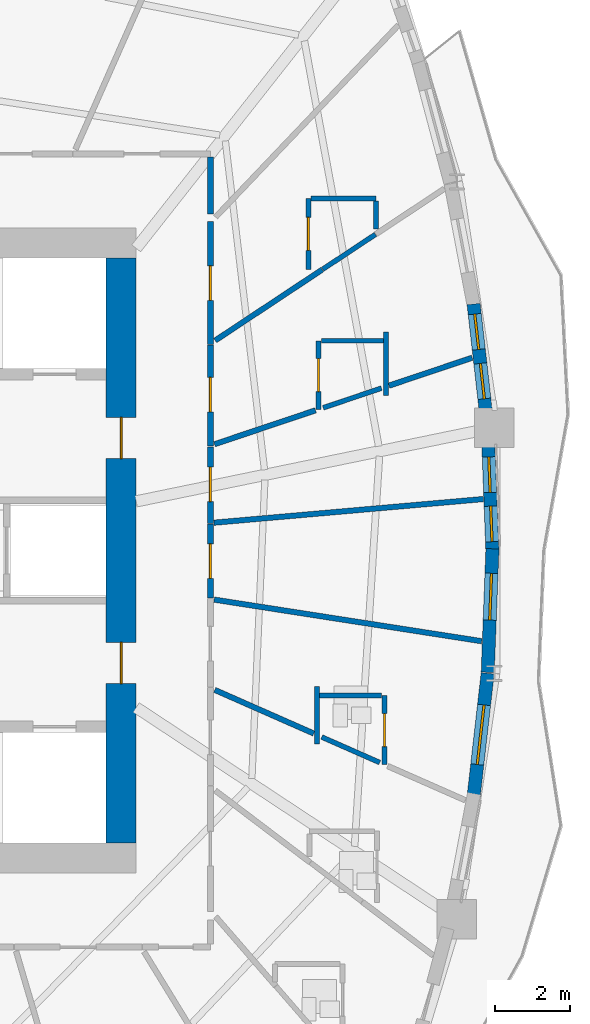
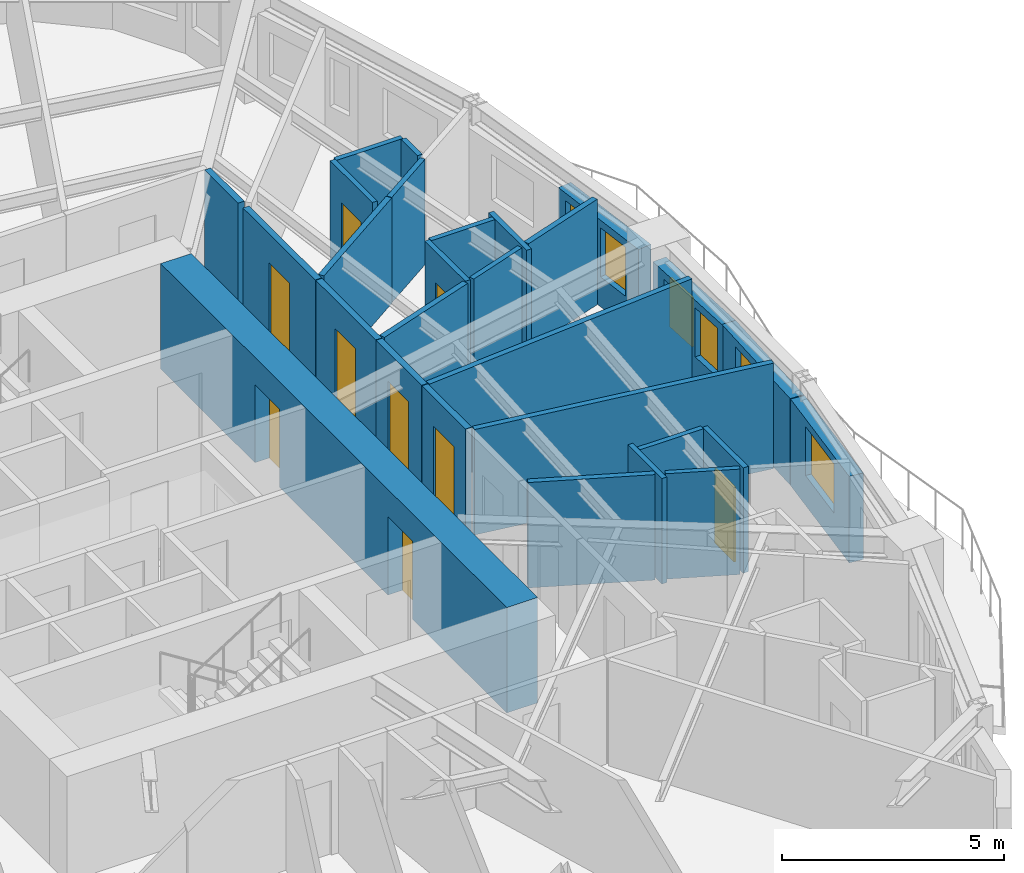
# One storey, part 7 of 13: 28 walls, 9 doors, 6 windows, 15 openings.
"""IFC4 building model written with IfcOpenShell, lengths in metres."""

from ifc_helpers import new_model, si_unit, direction, frame, frame_2d, origin, place, context, subcontext, project, spatial, rectangle, extrude, source, transform, mapped, material, layer, layer_set, type_object, element, fill, save


model = new_model("IFC4")

# Units and contexts
model_context = context("Model", 3, precision=1e-05, world=origin(), true_north=direction((0.0, 1.0)))
body_context = subcontext(model_context, "Body", "Model", "MODEL_VIEW")
ifc_project = project(units=[si_unit("LENGTHUNIT", "METRE"), si_unit("AREAUNIT", "SQUARE_METRE"), si_unit("VOLUMEUNIT", "CUBIC_METRE"), si_unit("PLANEANGLEUNIT", "RADIAN"), si_unit("MASSUNIT", "GRAM", prefix="KILO")], contexts=[model_context])

# Site, building, storey
site_placement = place(None, origin())
site = spatial("IfcSite", under=ifc_project, at=site_placement, CompositionType="ELEMENT")
building_placement = place(site_placement, origin())
building = spatial("IfcBuilding", under=site, at=building_placement, Name="Qafzar Sky-Pleat Residences", CompositionType="ELEMENT")
storey_placement = place(building_placement, frame((0.0, 0.0, 62.199951171875)))
storey = spatial("IfcBuildingStorey", under=building, at=storey_placement, Name="L18", CompositionType="ELEMENT", Elevation=62.199951171875)

# Wall, opening, door
ifc_material_1 = material(Name="Acoustic gypsum plasterboard partition", Category="gypsum")
ifc_layer_1 = layer(ifc_material_1, 0.159912109375)
ifc_layer_set_1 = layer_set([ifc_layer_1], Name="Acoustic gypsum plasterboard partition")
wall_type_1 = type_object("IfcWallType", Name="PART-COR-160", PredefinedType="PARTITIONING", material=ifc_layer_set_1)
wall_1_placement = place(storey_placement, frame((38.679931640625, 34.76904296875, 0.0), z_axis=(0.0, 0.0, 1.0), x_axis=(0.0, -1.0, 0.0)))
wall_1 = element("IfcWall", 1, at=wall_1_placement, inside=storey, type_object=wall_type_1, Name="L18 Partition Wall PART-L18-PW-009", PredefinedType="PARTITIONING", context=body_context, shape_type="SweptSolid", body=[
    extrude(rectangle(XDim=3.27099609375, YDim=0.159912109375, at=frame_2d((1.635498046875, 0.0))), origin(), (0.0, 0.0, 1.0), 2.900146484375),
])
opening_1_placement = place(wall_1_placement, frame((1.177001953125, 0.0, 0.0)))
opening_1 = element("IfcOpeningElement", 2, at=opening_1_placement, cuts=wall_1, Name="Opening ID-04", PredefinedType="OPENING", context=body_context, shape_type="SweptSolid", body=[
    extrude(rectangle(XDim=0.919921875, YDim=2.10009765625, at=frame_2d((0.4599609375, 1.050048828125))), frame((0.0, 0.08984375, 0.0), z_axis=(0.0, -1.0, 0.0), x_axis=(1.0, 0.0, 0.0)), (0.0, 0.0, 1.0), 0.179931640625),
])
ifc_material_2 = material(Name="Timber-faced fire door", Category="wood")
door_type_1 = type_object("IfcDoorType", Name="DR-BED-920", OperationType="NOTDEFINED", PredefinedType="DOOR", material=ifc_material_2)
shared_shape_1 = source(origin(), body_context, "Body", "SweptSolid", [
    extrude(rectangle(XDim=0.919921875, YDim=2.10009765625, at=frame_2d((0.4599609375, 1.050048828125))), frame((0.0, 0.02490234375, 0.0), z_axis=(0.0, -1.0, 0.0), x_axis=(1.0, 0.0, 0.0)), (0.0, 0.0, 1.0), 0.050048828125),
])
door_1_placement = place(opening_1_placement, origin())
door_1 = element("IfcDoor", 3, at=door_1_placement, inside=storey, type_object=door_type_1, Name="L18 Co-Living Bedroom 7 Door", OperationType="SINGLE_SWING_LEFT", OverallHeight=2.10009765625, OverallWidth=0.919921875, PredefinedType="DOOR", context=body_context, shape_type="MappedRepresentation", body=[
    mapped(shared_shape_1, transform((0.0, 0.0, 0.0), x_axis=(1.0, 0.0, 0.0), y_axis=(0.0, 1.0, 0.0), z_axis=(0.0, 0.0, 1.0), scale=1.0)),
])
fill(opening_1, door_1)

wall_2_placement = place(storey_placement, frame((38.679931640625, 31.48291015625, 0.0), z_axis=(0.0, 0.0, 1.0), x_axis=(0.0, -1.0, 0.0)))
wall_2 = element("IfcWall", 4, at=wall_2_placement, inside=storey, type_object=wall_type_1, Name="L18 Partition Wall PART-L18-PW-012", PredefinedType="PARTITIONING", context=body_context, shape_type="SweptSolid", body=[
    extrude(rectangle(XDim=2.701904296875, YDim=0.159912109375, at=frame_2d((1.35107421875, 0.0))), origin(), (0.0, 0.0, 1.0), 2.900146484375),
])
opening_2_placement = place(wall_2_placement, frame((0.866455078125, 0.0, 0.0)))
opening_2 = element("IfcOpeningElement", 5, at=opening_2_placement, cuts=wall_2, Name="Opening ID-04", PredefinedType="OPENING", context=body_context, shape_type="SweptSolid", body=[
    extrude(rectangle(XDim=0.919921875, YDim=2.10009765625, at=frame_2d((0.4599609375, 1.050048828125))), frame((0.0, 0.08984375, 0.0), z_axis=(0.0, -1.0, 0.0), x_axis=(1.0, 0.0, 0.0)), (0.0, 0.0, 1.0), 0.179931640625),
])
door_2_placement = place(opening_2_placement, origin())
door_2 = element("IfcDoor", 6, at=door_2_placement, inside=storey, type_object=door_type_1, Name="L18 Co-Living Bedroom 8 Door", OperationType="SINGLE_SWING_RIGHT", OverallHeight=2.10009765625, OverallWidth=0.919921875, PredefinedType="DOOR", context=body_context, shape_type="MappedRepresentation", body=[
    mapped(shared_shape_1, transform((0.0, 0.0, 0.0), x_axis=(1.0, 0.0, 0.0), y_axis=(0.0, 1.0, 0.0), z_axis=(0.0, 0.0, 1.0), scale=1.0)),
])
fill(opening_2, door_2)

wall_3_placement = place(storey_placement, frame((38.679931640625, 28.76611328125, 0.0), z_axis=(0.0, 0.0, 1.0), x_axis=(0.0, -1.0, 0.0)))
wall_3 = element("IfcWall", 7, at=wall_3_placement, inside=storey, type_object=wall_type_1, Name="L18 Partition Wall PART-L18-PW-017", PredefinedType="PARTITIONING", context=body_context, shape_type="SweptSolid", body=[
    extrude(rectangle(XDim=2.049072265625, YDim=0.159912109375, at=frame_2d((1.0244140625, 0.0))), origin(), (0.0, 0.0, 1.0), 2.900146484375),
])
opening_3_placement = place(wall_3_placement, frame((0.54150390625, 0.0, 0.0)))
opening_3 = element("IfcOpeningElement", 8, at=opening_3_placement, cuts=wall_3, Name="Opening ID-04", PredefinedType="OPENING", context=body_context, shape_type="SweptSolid", body=[
    extrude(rectangle(XDim=0.919921875, YDim=2.10009765625, at=frame_2d((0.4599609375, 1.050048828125))), frame((0.0, 0.08984375, 0.0), z_axis=(0.0, -1.0, 0.0), x_axis=(1.0, 0.0, 0.0)), (0.0, 0.0, 1.0), 0.179931640625),
])
door_3_placement = place(opening_3_placement, origin())
door_3 = element("IfcDoor", 9, at=door_3_placement, inside=storey, type_object=door_type_1, Name="L18 Co-Living Bedroom 5 Door", OperationType="SINGLE_SWING_LEFT", OverallHeight=2.10009765625, OverallWidth=0.919921875, PredefinedType="DOOR", context=body_context, shape_type="MappedRepresentation", body=[
    mapped(shared_shape_1, transform((0.0, 0.0, 0.0), x_axis=(1.0, 0.0, 0.0), y_axis=(0.0, 1.0, 0.0), z_axis=(0.0, 0.0, 1.0), scale=1.0)),
])
fill(opening_3, door_3)

wall_4_placement = place(storey_placement, frame((38.679931640625, 26.701904296875, 0.0), z_axis=(0.0, 0.0, 1.0), x_axis=(0.0, -1.0, 0.0)))
wall_4 = element("IfcWall", 10, at=wall_4_placement, inside=storey, type_object=wall_type_1, Name="L18 Partition Wall PART-L18-PW-018", PredefinedType="PARTITIONING", context=body_context, shape_type="SweptSolid", body=[
    extrude(rectangle(XDim=1.966796875, YDim=0.159912109375, at=frame_2d((0.9833984375, 0.0))), origin(), (0.0, 0.0, 1.0), 2.900146484375),
])
opening_4_placement = place(wall_4_placement, frame((0.52392578125, 0.0, 0.0)))
opening_4 = element("IfcOpeningElement", 11, at=opening_4_placement, cuts=wall_4, Name="Opening ID-04", PredefinedType="OPENING", context=body_context, shape_type="SweptSolid", body=[
    extrude(rectangle(XDim=0.919921875, YDim=2.10009765625, at=frame_2d((0.4599609375, 1.050048828125))), frame((0.0, 0.08984375, 0.0), z_axis=(0.0, -1.0, 0.0), x_axis=(1.0, 0.0, 0.0)), (0.0, 0.0, 1.0), 0.179931640625),
])
door_4_placement = place(opening_4_placement, origin())
door_4 = element("IfcDoor", 12, at=door_4_placement, inside=storey, type_object=door_type_1, Name="L18 Co-Living Bedroom 6 Door", OperationType="SINGLE_SWING_RIGHT", OverallHeight=2.10009765625, OverallWidth=0.919921875, PredefinedType="DOOR", context=body_context, shape_type="MappedRepresentation", body=[
    mapped(shared_shape_1, transform((0.0, 0.0, 0.0), x_axis=(1.0, 0.0, 0.0), y_axis=(0.0, 1.0, 0.0), z_axis=(0.0, 0.0, 1.0), scale=1.0)),
])
fill(opening_4, door_4)

# Walls
wall_5_placement = place(storey_placement, frame((38.679931640625, 34.981201171875, 0.0), z_axis=(0.0, 0.0, 1.0), x_axis=(0.0, 1.0, 0.0)))
element("IfcWall", 13, at=wall_5_placement, inside=storey, type_object=wall_type_1, Name="L18 Partition Wall PART-L18-PW-072", PredefinedType="PARTITIONING", context=body_context, shape_type="SweptSolid", body=[
    extrude(rectangle(XDim=1.5107421875, YDim=0.159912109375, at=frame_2d((0.75537109375, 0.0))), origin(), (0.0, 0.0, 1.0), 2.900146484375),
])
ifc_layer_2 = layer(ifc_material_1, 0.14501953125)
ifc_layer_set_2 = layer_set([ifc_layer_2], Name="Acoustic gypsum plasterboard partition")
wall_type_2 = type_object("IfcWallType", Name="PART-UNIT-145", PredefinedType="PARTITIONING", material=ifc_layer_set_2)
wall_6_placement = place(storey_placement, frame((38.779052734375, 24.688720703125, 0.0), z_axis=(0.0, 0.0, 1.0), x_axis=(0.988134938683, -0.153588225311, 0.0)))
element("IfcWall", 14, at=wall_6_placement, inside=storey, type_object=wall_type_2, Name="L18 Partition Wall PART-L18-PW-044", PredefinedType="PARTITIONING", context=body_context, shape_type="SweptSolid", body=[
    extrude(rectangle(XDim=7.224609375, YDim=0.14501953125, at=frame_2d((3.6123046875, 0.0))), origin(), (0.0, 0.0, 1.0), 2.900146484375),
])
wall_7_placement = place(storey_placement, frame((38.7744140625, 26.740234375, 0.0), z_axis=(0.0, 0.0, 1.0), x_axis=(0.99617095107, 0.087426747871, 0.0)))
element("IfcWall", 15, at=wall_7_placement, inside=storey, type_object=wall_type_2, Name="L18 Partition Wall PART-L18-PW-045", PredefinedType="PARTITIONING", context=body_context, shape_type="SweptSolid", body=[
    extrude(rectangle(XDim=7.2158203125, YDim=0.14501953125, at=frame_2d((3.60791015625, 0.0))), origin(), (0.0, 0.0, 1.0), 2.900146484375),
])
wall_8_placement = place(storey_placement, frame((38.806640625, 31.599853515625, 0.0), z_axis=(0.0, 0.0, 1.0), x_axis=(0.833690999351, 0.552231217518, 0.0)))
element("IfcWall", 16, at=wall_8_placement, inside=storey, type_object=wall_type_2, Name="L18 Partition Wall PART-L18-PW-050", PredefinedType="PARTITIONING", context=body_context, shape_type="SweptSolid", body=[
    extrude(rectangle(XDim=3.42626953125, YDim=0.14501953125, at=frame_2d((1.713134765625, 0.0))), origin(), (0.0, 0.0, 1.0), 2.900146484375),
])
wall_9_placement = place(storey_placement, frame((38.79638671875, 22.27978515625, 0.0), z_axis=(0.0, 0.0, 1.0), x_axis=(0.9151327572, -0.403152622092, 0.0)))
element("IfcWall", 17, at=wall_9_placement, inside=storey, type_object=wall_type_2, Name="L18 Partition Wall PART-L18-PW-053", PredefinedType="PARTITIONING", context=body_context, shape_type="SweptSolid", body=[
    extrude(rectangle(XDim=2.885009765625, YDim=0.14501953125, at=frame_2d((1.4423828125, 0.0))), origin(), (0.0, 0.0, 1.0), 2.900146484375),
])
wall_10_placement = place(storey_placement, frame((38.790771484375, 28.833984375, 0.0), z_axis=(0.0, 0.0, 1.0), x_axis=(0.94801935148, 0.318212679226, 0.0)))
element("IfcWall", 18, at=wall_10_placement, inside=storey, type_object=wall_type_2, Name="L18 Partition Wall PART-L18-PW-054", PredefinedType="PARTITIONING", context=body_context, shape_type="SweptSolid", body=[
    extrude(rectangle(XDim=2.84033203125, YDim=0.14501953125, at=frame_2d((1.420166015625, 0.0))), origin(), (0.0, 0.0, 1.0), 2.900146484375),
])
wall_11_placement = place(storey_placement, frame((43.444580078125, 30.39599609375, 0.0), z_axis=(0.0, 0.0, 1.0), x_axis=(0.947971837268, 0.318354198568, 0.0)))
element("IfcWall", 19, at=wall_11_placement, inside=storey, type_object=wall_type_2, Name="L18 Partition Wall PART-L18-PW-056", PredefinedType="PARTITIONING", context=body_context, shape_type="SweptSolid", body=[
    extrude(rectangle(XDim=2.34130859375, YDim=0.14501953125, at=frame_2d((1.170654296875, 0.0))), origin(), (0.0, 0.0, 1.0), 2.900146484375),
])

# Wall, opening, door
ifc_material_3 = material(Name="Moisture-resistant gypsum partition", Category="gypsum")
ifc_layer_3 = layer(ifc_material_3, 0.1298828125)
ifc_layer_set_3 = layer_set([ifc_layer_3], Name="Moisture-resistant gypsum partition")
wall_type_3 = type_object("IfcWallType", Name="PART-WET-130", PredefinedType="PARTITIONING", material=ifc_layer_set_3)
wall_12_placement = place(storey_placement, frame((41.2939453125, 35.39208984375, 0.0), z_axis=(0.0, 0.0, 1.0), x_axis=(0.0, -1.0, 0.0)))
wall_12 = element("IfcWall", 20, at=wall_12_placement, inside=storey, type_object=wall_type_3, Name="L18 Partition Wall PART-L18-PW-019", PredefinedType="PARTITIONING", context=body_context, shape_type="SweptSolid", body=[
    extrude(rectangle(XDim=1.900146484375, YDim=0.1298828125, at=frame_2d((0.9501953125, 0.0))), origin(), (0.0, 0.0, 1.0), 2.900146484375),
])
opening_5_placement = place(wall_12_placement, frame((0.510009765625, 0.0, 0.0)))
opening_5 = element("IfcOpeningElement", 21, at=opening_5_placement, cuts=wall_12, Name="Opening ID-07", PredefinedType="OPENING", context=body_context, shape_type="SweptSolid", body=[
    extrude(rectangle(XDim=0.8798828125, YDim=2.050048828125, at=frame_2d((0.43994140625, 1.02490234375))), frame((0.0, 0.074951171875, 0.0), z_axis=(0.0, -1.0, 0.0), x_axis=(1.0, 0.0, 0.0)), (0.0, 0.0, 1.0), 0.14990234375),
])
door_type_2 = type_object("IfcDoorType", Name="DR-WET-880", OperationType="NOTDEFINED", PredefinedType="DOOR", material=ifc_material_2)
shared_shape_2 = source(origin(), body_context, "Body", "SweptSolid", [
    extrude(rectangle(XDim=0.8798828125, YDim=2.050048828125, at=frame_2d((0.43994140625, 1.02490234375))), frame((0.0, 0.02490234375, 0.0), z_axis=(0.0, -1.0, 0.0), x_axis=(1.0, 0.0, 0.0)), (0.0, 0.0, 1.0), 0.050048828125),
])
door_5_placement = place(opening_5_placement, origin())
door_5 = element("IfcDoor", 22, at=door_5_placement, inside=storey, type_object=door_type_2, Name="L18 En-suite Bathroom 7 Door", OperationType="SINGLE_SWING_LEFT", OverallHeight=2.050048828125, OverallWidth=0.8798828125, PredefinedType="DOOR", context=body_context, shape_type="MappedRepresentation", body=[
    mapped(shared_shape_2, transform((0.0, 0.0, 0.0), x_axis=(1.0, 0.0, 0.0), y_axis=(0.0, 1.0, 0.0), z_axis=(0.0, 0.0, 1.0), scale=1.0)),
])
fill(opening_5, door_5)

wall_13_placement = place(storey_placement, frame((43.322998046875, 20.285888671875, 0.0), z_axis=(0.0, 0.0, 1.0), x_axis=(0.0, 1.0, 0.0)))
wall_13 = element("IfcWall", 23, at=wall_13_placement, inside=storey, type_object=wall_type_3, Name="L18 Partition Wall PART-L18-PW-025", PredefinedType="PARTITIONING", context=body_context, shape_type="SweptSolid", body=[
    extrude(rectangle(XDim=1.84521484375, YDim=0.1298828125, at=frame_2d((0.922607421875, 0.0))), origin(), (0.0, 0.0, 1.0), 2.900146484375),
])
opening_6_placement = place(wall_13_placement, frame((0.482421875, 0.0, 0.0)))
opening_6 = element("IfcOpeningElement", 24, at=opening_6_placement, cuts=wall_13, Name="Opening ID-07", PredefinedType="OPENING", context=body_context, shape_type="SweptSolid", body=[
    extrude(rectangle(XDim=0.8798828125, YDim=2.050048828125, at=frame_2d((0.43994140625, 1.02490234375))), frame((0.0, 0.074951171875, 0.0), z_axis=(0.0, -1.0, 0.0), x_axis=(1.0, 0.0, 0.0)), (0.0, 0.0, 1.0), 0.14990234375),
])
door_6_placement = place(opening_6_placement, origin())
door_6 = element("IfcDoor", 25, at=door_6_placement, inside=storey, type_object=door_type_2, Name="L18 En-suite Bathroom 4 Door", OperationType="SINGLE_SWING_LEFT", OverallHeight=2.050048828125, OverallWidth=0.8798828125, PredefinedType="DOOR", context=body_context, shape_type="MappedRepresentation", body=[
    mapped(shared_shape_2, transform((0.0, 0.0, 0.0), x_axis=(1.0, 0.0, 0.0), y_axis=(0.0, 1.0, 0.0), z_axis=(0.0, 0.0, 1.0), scale=1.0)),
])
fill(opening_6, door_6)

wall_14_placement = place(storey_placement, frame((41.56396484375, 31.593994140625, 0.0), z_axis=(0.0, 0.0, 1.0), x_axis=(0.0, -1.0, 0.0)))
wall_14 = element("IfcWall", 26, at=wall_14_placement, inside=storey, type_object=wall_type_3, Name="L18 Partition Wall PART-L18-PW-026", PredefinedType="PARTITIONING", context=body_context, shape_type="SweptSolid", body=[
    extrude(rectangle(XDim=1.8291015625, YDim=0.1298828125, at=frame_2d((0.91455078125, 0.0))), origin(), (0.0, 0.0, 1.0), 2.900146484375),
])
opening_7_placement = place(wall_14_placement, frame((0.474609375, 0.0, 0.0)))
opening_7 = element("IfcOpeningElement", 27, at=opening_7_placement, cuts=wall_14, Name="Opening ID-07", PredefinedType="OPENING", context=body_context, shape_type="SweptSolid", body=[
    extrude(rectangle(XDim=0.8798828125, YDim=2.050048828125, at=frame_2d((0.43994140625, 1.02490234375))), frame((0.0, 0.074951171875, 0.0), z_axis=(0.0, -1.0, 0.0), x_axis=(1.0, 0.0, 0.0)), (0.0, 0.0, 1.0), 0.14990234375),
])
door_7_placement = place(opening_7_placement, origin())
door_7 = element("IfcDoor", 28, at=door_7_placement, inside=storey, type_object=door_type_2, Name="L18 En-suite Bathroom 8 Door", OperationType="SINGLE_SWING_RIGHT", OverallHeight=2.050048828125, OverallWidth=0.8798828125, PredefinedType="DOOR", context=body_context, shape_type="MappedRepresentation", body=[
    mapped(shared_shape_2, transform((0.0, 0.0, 0.0), x_axis=(1.0, 0.0, 0.0), y_axis=(0.0, 1.0, 0.0), z_axis=(0.0, 0.0, 1.0), scale=1.0)),
])
fill(opening_7, door_7)

# Walls
wall_15_placement = place(storey_placement, frame((41.650390625, 21.023193359375, 0.0), z_axis=(0.0, 0.0, 1.0), x_axis=(0.915165742406, -0.403077739309, 0.0)))
element("IfcWall", 29, at=wall_15_placement, inside=storey, type_object=wall_type_3, Name="L18 Partition Wall PART-L18-PW-060", PredefinedType="PARTITIONING", context=body_context, shape_type="SweptSolid", body=[
    extrude(rectangle(XDim=1.688720703125, YDim=0.1298828125, at=frame_2d((0.84423828125, 0.0))), origin(), (0.0, 0.0, 1.0), 2.900146484375),
])
wall_16_placement = place(storey_placement, frame((41.6865234375, 29.80615234375, 0.0), z_axis=(0.0, 0.0, 1.0), x_axis=(0.948056253842, 0.318102718553, 0.0)))
element("IfcWall", 30, at=wall_16_placement, inside=storey, type_object=wall_type_3, Name="L18 Partition Wall PART-L18-PW-063", PredefinedType="PARTITIONING", context=body_context, shape_type="SweptSolid", body=[
    extrude(rectangle(XDim=1.64013671875, YDim=0.1298828125, at=frame_2d((0.820068359375, 0.0))), origin(), (0.0, 0.0, 1.0), 2.900146484375),
])
wall_17_placement = place(storey_placement, frame((41.366943359375, 35.39208984375, 0.0), z_axis=(0.0, 0.0, 1.0), x_axis=(1.0, 0.0, 0.0)))
element("IfcWall", 31, at=wall_17_placement, inside=storey, type_object=wall_type_3, Name="L18 Partition Wall PART-L18-PW-065", PredefinedType="PARTITIONING", context=body_context, shape_type="SweptSolid", body=[
    extrude(rectangle(XDim=1.72705078125, YDim=0.1298828125, at=frame_2d((0.863525390625, 0.0))), origin(), (0.0, 0.0, 1.0), 2.900146484375),
])
for number, where, z_axis, x_axis, name in (
    (32, (41.595947265625, 22.131103515625, 0.0), (0.0, 0.0, 1.0), (1.0, 0.0, 0.0), "L18 Partition Wall PART-L18-PW-070"),
    (33, (41.636962890625, 31.593994140625, 0.0), (0.0, 0.0, 1.0), (1.0, 0.0, 0.0), "L18 Partition Wall PART-L18-PW-071"),
):
    element("IfcWall", number, at=place(storey_placement, frame(where, z_axis=z_axis, x_axis=x_axis)), inside=storey, type_object=wall_type_3, Name=name, PredefinedType="PARTITIONING", context=body_context, shape_type="SweptSolid", body=[
        extrude(rectangle(XDim=1.654052734375, YDim=0.1298828125, at=frame_2d((0.8271484375, 0.0))), origin(), (0.0, 0.0, 1.0), 2.900146484375),
    ])
wall_18_placement = place(storey_placement, frame((41.675537109375, 33.500244140625, 0.0), z_axis=(0.0, 0.0, 1.0), x_axis=(0.833939065936, 0.55185653417, 0.0)))
element("IfcWall", 34, at=wall_18_placement, inside=storey, type_object=wall_type_3, Name="L18 Partition Wall PART-L18-PW-076", PredefinedType="PARTITIONING", context=body_context, shape_type="SweptSolid", body=[
    extrude(rectangle(XDim=1.68603515625, YDim=0.1298828125, at=frame_2d((0.843017578125, 0.0))), origin(), (0.0, 0.0, 1.0), 2.900146484375),
])
wall_19_placement = place(storey_placement, frame((43.364013671875, 30.12890625, 0.0), z_axis=(0.0, 0.0, 1.0), x_axis=(0.0, 1.0, 0.0)))
element("IfcWall", 35, at=wall_19_placement, inside=storey, type_object=wall_type_3, Name="L18 Partition Wall PART-L18-PW-080", PredefinedType="PARTITIONING", context=body_context, shape_type="SweptSolid", body=[
    extrude(rectangle(XDim=1.705078125, YDim=0.1298828125, at=frame_2d((0.8525390625, 0.0))), origin(), (0.0, 0.0, 1.0), 2.900146484375),
])
wall_20_placement = place(storey_placement, frame((41.52294921875, 20.839111328125, 0.0), z_axis=(0.0, 0.0, 1.0), x_axis=(0.0, 1.0, 0.0)))
element("IfcWall", 36, at=wall_20_placement, inside=storey, type_object=wall_type_3, Name="L18 Partition Wall PART-L18-PW-081", PredefinedType="PARTITIONING", context=body_context, shape_type="SweptSolid", body=[
    extrude(rectangle(XDim=1.531982421875, YDim=0.1298828125, at=frame_2d((0.76611328125, 0.0))), origin(), (0.0, 0.0, 1.0), 2.900146484375),
])
wall_21_placement = place(storey_placement, frame((43.093994140625, 34.576904296875, 0.0), z_axis=(0.0, 0.0, 1.0), x_axis=(0.0, 1.0, 0.0)))
element("IfcWall", 37, at=wall_21_placement, inside=storey, type_object=wall_type_3, Name="L18 Partition Wall PART-L18-PW-083", PredefinedType="PARTITIONING", context=body_context, shape_type="SweptSolid", body=[
    extrude(rectangle(XDim=0.7421875, YDim=0.1298828125, at=frame_2d((0.37109375, 0.0))), origin(), (0.0, 0.0, 1.0), 2.900146484375),
])

# Wall, opening, window
ifc_material_4 = material(Name="Precast concrete C40/50 with honed Riyadh limestone", Category="concrete")
ifc_layer_4 = layer(ifc_material_4, 0.35009765625)
ifc_layer_set_4 = layer_set([ifc_layer_4], Name="Precast concrete C40/50 with honed Riyadh limestone")
wall_type_4 = type_object("IfcWallType", Name="WALL-EXT-350", PredefinedType="SOLIDWALL", material=ifc_layer_set_4)
wall_22_placement = place(storey_placement, frame((45.7001953125, 19.42626953125, 0.0), z_axis=(0.0, 0.0, 1.0), x_axis=(0.113266370988, 0.993564657787, 0.0)))
wall_22 = element("IfcWall", 38, at=wall_22_placement, inside=storey, type_object=wall_type_4, Name="L18 Limestone Facade Wall 26", PredefinedType="SOLIDWALL", context=body_context, shape_type="SweptSolid", body=[
    extrude(rectangle(XDim=3.317138671875, YDim=0.35009765625, at=frame_2d((1.65869140625, 0.0))), origin(), (0.0, 0.0, 1.0), 2.380126953125),
])
opening_8_placement = place(wall_22_placement, frame((0.86865234375, 0.0, 0.820068359375)))
opening_8 = element("IfcOpeningElement", 39, at=opening_8_placement, cuts=wall_22, Name="Opening WN-09", PredefinedType="OPENING", context=body_context, shape_type="SweptSolid", body=[
    extrude(rectangle(XDim=1.60009765625, YDim=1.35009765625, at=frame_2d((0.800048828125, 0.675048828125))), frame((0.0, 0.18505859375, 0.0), z_axis=(0.0, -1.0, 0.0), x_axis=(1.0, 0.0, 0.0)), (0.0, 0.0, 1.0), 0.3701171875),
])
ifc_material_5 = material(Name="Solar-control low-E glass in bronze aluminium frame", Category="glass")
window_type_1 = type_object("IfcWindowType", Name="WIN-09", PartitioningType="DOUBLE_PANEL_VERTICAL", PredefinedType="WINDOW", material=ifc_material_5)
shared_shape_3 = source(origin(), body_context, "Body", "SweptSolid", [
    extrude(rectangle(XDim=1.60009765625, YDim=1.35009765625, at=frame_2d((0.800048828125, 0.675048828125))), frame((0.0, 0.030029296875, 0.0), z_axis=(0.0, -1.0, 0.0), x_axis=(1.0, 0.0, 0.0)), (0.0, 0.0, 1.0), 0.06005859375),
])
window_1_placement = place(opening_8_placement, origin())
window_1 = element("IfcWindow", 40, at=window_1_placement, inside=storey, type_object=window_type_1, Name="L18 Punched Facade Window 26", OverallHeight=1.35009765625, OverallWidth=1.60009765625, PartitioningType="SINGLE_PANEL", PredefinedType="WINDOW", context=body_context, shape_type="MappedRepresentation", body=[
    mapped(shared_shape_3, transform((0.0, 0.0, 0.0), x_axis=(1.0, 0.0, 0.0), y_axis=(0.0, 1.0, 0.0), z_axis=(0.0, 0.0, 1.0), scale=1.0)),
])
fill(opening_8, window_1)

wall_23_placement = place(storey_placement, frame((46.077880859375, 22.748779296875, 0.0), z_axis=(0.0, 0.0, 1.0), x_axis=(0.037972593677, 0.999278780986, 0.0)))
wall_23 = element("IfcWall", 41, at=wall_23_placement, inside=storey, type_object=wall_type_4, Name="L18 Limestone Facade Wall 27", PredefinedType="SOLIDWALL", context=body_context, shape_type="SweptSolid", body=[
    extrude(rectangle(XDim=3.29833984375, YDim=0.35009765625, at=frame_2d((1.649169921875, 0.0))), origin(), (0.0, 0.0, 1.0), 2.380126953125),
])
opening_9_placement = place(wall_23_placement, frame((1.394287109375, 0.0, 0.820068359375)))
opening_9 = element("IfcOpeningElement", 42, at=opening_9_placement, cuts=wall_23, Name="Opening WN-11", PredefinedType="OPENING", context=body_context, shape_type="SweptSolid", body=[
    extrude(rectangle(XDim=1.25, YDim=1.35009765625, at=frame_2d((0.625, 0.675048828125))), frame((0.0, 0.18505859375, 0.0), z_axis=(0.0, -1.0, 0.0), x_axis=(1.0, 0.0, 0.0)), (0.0, 0.0, 1.0), 0.3701171875),
])
window_type_2 = type_object("IfcWindowType", Name="WIN-11", PartitioningType="SINGLE_PANEL", PredefinedType="WINDOW", material=ifc_material_5)
shared_shape_4 = source(origin(), body_context, "Body", "SweptSolid", [
    extrude(rectangle(XDim=1.25, YDim=1.35009765625, at=frame_2d((0.625, 0.675048828125))), frame((0.0, 0.030029296875, 0.0), z_axis=(0.0, -1.0, 0.0), x_axis=(1.0, 0.0, 0.0)), (0.0, 0.0, 1.0), 0.06005859375),
])
window_2_placement = place(opening_9_placement, origin())
window_2 = element("IfcWindow", 43, at=window_2_placement, inside=storey, type_object=window_type_2, Name="L18 Punched Facade Window 27-2", OverallHeight=1.35009765625, OverallWidth=1.25, PartitioningType="SINGLE_PANEL", PredefinedType="WINDOW", context=body_context, shape_type="MappedRepresentation", body=[
    mapped(shared_shape_4, transform((0.0, 0.0, 0.0), x_axis=(1.0, 0.0, 0.0), y_axis=(0.0, 1.0, 0.0), z_axis=(0.0, 0.0, 1.0), scale=1.0)),
])
fill(opening_9, window_2)

# Wall, openings, windows
wall_24_placement = place(storey_placement, frame((46.203125, 25.955322265625, 0.0), z_axis=(0.0, 0.0, 1.0), x_axis=(-0.038016855762, 0.999277098045, 0.0)))
wall_24 = element("IfcWall", 44, at=wall_24_placement, inside=storey, type_object=wall_type_4, Name="L18 Limestone Facade Wall 28", PredefinedType="SOLIDWALL", context=body_context, shape_type="SweptSolid", body=[
    extrude(rectangle(XDim=3.018310546875, YDim=0.35009765625, at=frame_2d((1.50927734375, 0.0))), origin(), (0.0, 0.0, 1.0), 2.380126953125),
])
opening_10_placement = place(wall_24_placement, frame((0.27734375, 0.0, 0.820068359375)))
opening_10 = element("IfcOpeningElement", 45, at=opening_10_placement, cuts=wall_24, Name="Opening WN-12", PredefinedType="OPENING", context=body_context, shape_type="SweptSolid", body=[
    extrude(rectangle(XDim=0.949951171875, YDim=1.35009765625, at=frame_2d((0.47509765625, 0.675048828125))), frame((0.0, 0.18505859375, 0.0), z_axis=(0.0, -1.0, 0.0), x_axis=(1.0, 0.0, 0.0)), (0.0, 0.0, 1.0), 0.3701171875),
])
opening_11_placement = place(wall_24_placement, frame((1.591796875, 0.0, 0.820068359375)))
opening_11 = element("IfcOpeningElement", 46, at=opening_11_placement, cuts=wall_24, Name="Opening WN-12", PredefinedType="OPENING", context=body_context, shape_type="SweptSolid", body=[
    extrude(rectangle(XDim=0.949951171875, YDim=1.35009765625, at=frame_2d((0.47509765625, 0.675048828125))), frame((0.0, 0.18505859375, 0.0), z_axis=(0.0, -1.0, 0.0), x_axis=(1.0, 0.0, 0.0)), (0.0, 0.0, 1.0), 0.3701171875),
])
window_type_3 = type_object("IfcWindowType", Name="WIN-12", PartitioningType="SINGLE_PANEL", PredefinedType="WINDOW", material=ifc_material_5)
shared_shape_5 = source(origin(), body_context, "Body", "SweptSolid", [
    extrude(rectangle(XDim=0.949951171875, YDim=1.35009765625, at=frame_2d((0.47509765625, 0.675048828125))), frame((0.0, 0.030029296875, 0.0), z_axis=(0.0, -1.0, 0.0), x_axis=(1.0, 0.0, 0.0)), (0.0, 0.0, 1.0), 0.06005859375),
])
window_3_placement = place(opening_10_placement, origin())
window_3 = element("IfcWindow", 47, at=window_3_placement, inside=storey, type_object=window_type_3, Name="L18 Punched Facade Window 28", OverallHeight=1.35009765625, OverallWidth=0.949951171875, PartitioningType="SINGLE_PANEL", PredefinedType="WINDOW", context=body_context, shape_type="MappedRepresentation", body=[
    mapped(shared_shape_5, transform((0.0, 0.0, 0.0), x_axis=(1.0, 0.0, 0.0), y_axis=(0.0, 1.0, 0.0), z_axis=(0.0, 0.0, 1.0), scale=1.0)),
])
fill(opening_10, window_3)
window_4_placement = place(opening_11_placement, origin())
window_4 = element("IfcWindow", 48, at=window_4_placement, inside=storey, type_object=window_type_3, Name="L18 Punched Facade Window 28-2", OverallHeight=1.35009765625, OverallWidth=0.949951171875, PartitioningType="SINGLE_PANEL", PredefinedType="WINDOW", context=body_context, shape_type="MappedRepresentation", body=[
    mapped(shared_shape_5, transform((0.0, 0.0, 0.0), x_axis=(1.0, 0.0, 0.0), y_axis=(0.0, 1.0, 0.0), z_axis=(0.0, 0.0, 1.0), scale=1.0)),
])
fill(opening_11, window_4)

wall_25_placement = place(storey_placement, frame((46.044189453125, 29.55615234375, 0.0), z_axis=(0.0, 0.0, 1.0), x_axis=(-0.113263196818, 0.993565019637, 0.0)))
wall_25 = element("IfcWall", 49, at=wall_25_placement, inside=storey, type_object=wall_type_4, Name="L18 Limestone Facade Wall 29", PredefinedType="SOLIDWALL", context=body_context, shape_type="SweptSolid", body=[
    extrude(rectangle(XDim=3.037109375, YDim=0.35009765625, at=frame_2d((1.5185546875, 0.0))), origin(), (0.0, 0.0, 1.0), 2.380126953125),
])
opening_12_placement = place(wall_25_placement, frame((0.492431640625, 0.0, 0.820068359375)))
opening_12 = element("IfcOpeningElement", 50, at=opening_12_placement, cuts=wall_25, Name="Opening WN-12", PredefinedType="OPENING", context=body_context, shape_type="SweptSolid", body=[
    extrude(rectangle(XDim=0.949951171875, YDim=1.35009765625, at=frame_2d((0.47509765625, 0.675048828125))), frame((0.0, 0.18505859375, 0.0), z_axis=(0.0, -1.0, 0.0), x_axis=(1.0, 0.0, 0.0)), (0.0, 0.0, 1.0), 0.3701171875),
])
opening_13_placement = place(wall_25_placement, frame((1.816162109375, 0.0, 0.820068359375)))
opening_13 = element("IfcOpeningElement", 51, at=opening_13_placement, cuts=wall_25, Name="Opening WN-12", PredefinedType="OPENING", context=body_context, shape_type="SweptSolid", body=[
    extrude(rectangle(XDim=0.949951171875, YDim=1.35009765625, at=frame_2d((0.47509765625, 0.675048828125))), frame((0.0, 0.18505859375, 0.0), z_axis=(0.0, -1.0, 0.0), x_axis=(1.0, 0.0, 0.0)), (0.0, 0.0, 1.0), 0.3701171875),
])
window_5_placement = place(opening_12_placement, origin())
window_5 = element("IfcWindow", 52, at=window_5_placement, inside=storey, type_object=window_type_3, Name="L18 Punched Facade Window 29", OverallHeight=1.35009765625, OverallWidth=0.949951171875, PartitioningType="SINGLE_PANEL", PredefinedType="WINDOW", context=body_context, shape_type="MappedRepresentation", body=[
    mapped(shared_shape_5, transform((0.0, 0.0, 0.0), x_axis=(1.0, 0.0, 0.0), y_axis=(0.0, 1.0, 0.0), z_axis=(0.0, 0.0, 1.0), scale=1.0)),
])
fill(opening_12, window_5)
window_6_placement = place(opening_13_placement, origin())
window_6 = element("IfcWindow", 53, at=window_6_placement, inside=storey, type_object=window_type_3, Name="L18 Punched Facade Window 29-2", OverallHeight=1.35009765625, OverallWidth=0.949951171875, PartitioningType="SINGLE_PANEL", PredefinedType="WINDOW", context=body_context, shape_type="MappedRepresentation", body=[
    mapped(shared_shape_5, transform((0.0, 0.0, 0.0), x_axis=(1.0, 0.0, 0.0), y_axis=(0.0, 1.0, 0.0), z_axis=(0.0, 0.0, 1.0), scale=1.0)),
])
fill(opening_13, window_6)

# Wall, openings, doors
ifc_material_6 = material(Name="Concrete C60/75", Category="concrete")
ifc_layer_5 = layer(ifc_material_6, 0.800048828125)
ifc_layer_set_5 = layer_set([ifc_layer_5], Name="Concrete C60/75")
wall_type_5 = type_object("IfcWallType", Name="WALL-SHEAR-800", PredefinedType="SHEAR", material=ifc_layer_set_5)
wall_26_placement = place(storey_placement, frame((36.300048828125, 18.199951171875, 0.0), z_axis=(0.0, 0.0, 1.0), x_axis=(0.0, 1.0, 0.0)))
wall_26 = element("IfcWall", 54, at=wall_26_placement, inside=storey, type_object=wall_type_5, Name="L18 CORE wall E", PredefinedType="SHEAR", context=body_context, shape_type="SweptSolid", body=[
    extrude(rectangle(XDim=15.60009765625, YDim=0.800048828125, at=frame_2d((7.800048828125, 0.0))), origin(), (0.0, 0.0, 1.0), 2.900146484375),
])
opening_14_placement = place(wall_26_placement, frame((4.25, 0.0, 0.0)))
opening_14 = element("IfcOpeningElement", 55, at=opening_14_placement, cuts=wall_26, Name="Opening ID-02", PredefinedType="OPENING", context=body_context, shape_type="SweptSolid", body=[
    extrude(rectangle(XDim=1.10009765625, YDim=2.14990234375, at=frame_2d((0.550048828125, 1.074951171875))), frame((0.0, 0.41015625, 0.0), z_axis=(0.0, -1.0, 0.0), x_axis=(1.0, 0.0, 0.0)), (0.0, 0.0, 1.0), 0.820068359375),
])
opening_15_placement = place(wall_26_placement, frame((10.25, 0.0, 0.0)))
opening_15 = element("IfcOpeningElement", 56, at=opening_15_placement, cuts=wall_26, Name="Opening ID-02", PredefinedType="OPENING", context=body_context, shape_type="SweptSolid", body=[
    extrude(rectangle(XDim=1.10009765625, YDim=2.14990234375, at=frame_2d((0.550048828125, 1.074951171875))), frame((0.0, 0.41015625, 0.0), z_axis=(0.0, -1.0, 0.0), x_axis=(1.0, 0.0, 0.0)), (0.0, 0.0, 1.0), 0.820068359375),
])
door_type_3 = type_object("IfcDoorType", Name="DR-FFL-1100", OperationType="NOTDEFINED", PredefinedType="DOOR", material=ifc_material_2)
shared_shape_6 = source(origin(), body_context, "Body", "SweptSolid", [
    extrude(rectangle(XDim=1.10009765625, YDim=2.14990234375, at=frame_2d((0.550048828125, 1.074951171875))), frame((0.0, 0.02490234375, 0.0), z_axis=(0.0, -1.0, 0.0), x_axis=(1.0, 0.0, 0.0)), (0.0, 0.0, 1.0), 0.050048828125),
])
door_8_placement = place(opening_14_placement, origin())
door_8 = element("IfcDoor", 57, at=door_8_placement, inside=storey, type_object=door_type_3, Name="L18 Firefighting Lobby South Corridor Door", OperationType="SINGLE_SWING_LEFT", OverallHeight=2.14990234375, OverallWidth=1.10009765625, PredefinedType="DOOR", context=body_context, shape_type="MappedRepresentation", body=[
    mapped(shared_shape_6, transform((0.0, 0.0, 0.0), x_axis=(1.0, 0.0, 0.0), y_axis=(0.0, 1.0, 0.0), z_axis=(0.0, 0.0, 1.0), scale=1.0)),
])
fill(opening_14, door_8)
door_9_placement = place(opening_15_placement, origin())
door_9 = element("IfcDoor", 58, at=door_9_placement, inside=storey, type_object=door_type_3, Name="L18 Firefighting Lobby North Corridor Door", OperationType="SINGLE_SWING_RIGHT", OverallHeight=2.14990234375, OverallWidth=1.10009765625, PredefinedType="DOOR", context=body_context, shape_type="MappedRepresentation", body=[
    mapped(shared_shape_6, transform((0.0, 0.0, 0.0), x_axis=(1.0, 0.0, 0.0), y_axis=(0.0, 1.0, 0.0), z_axis=(0.0, 0.0, 1.0), scale=1.0)),
])
fill(opening_15, door_9)

save(model, "model.ifc")
